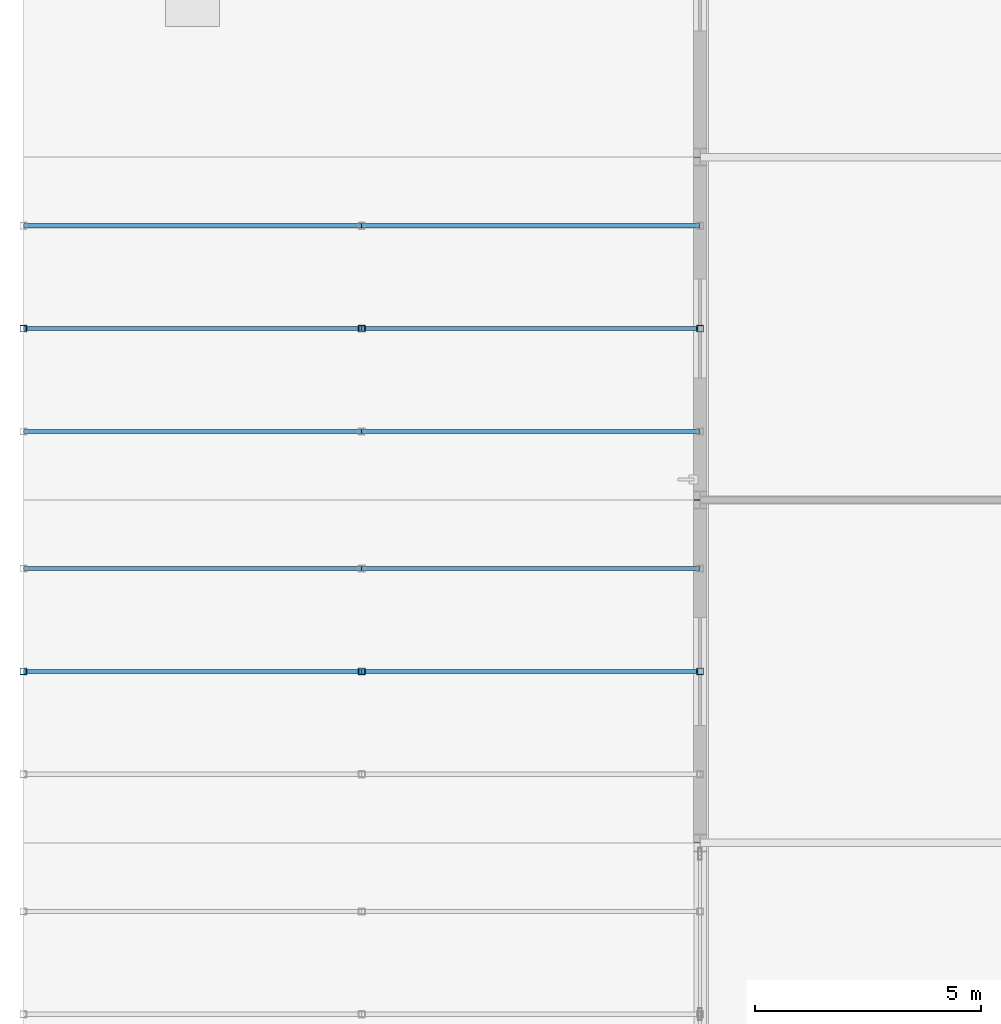
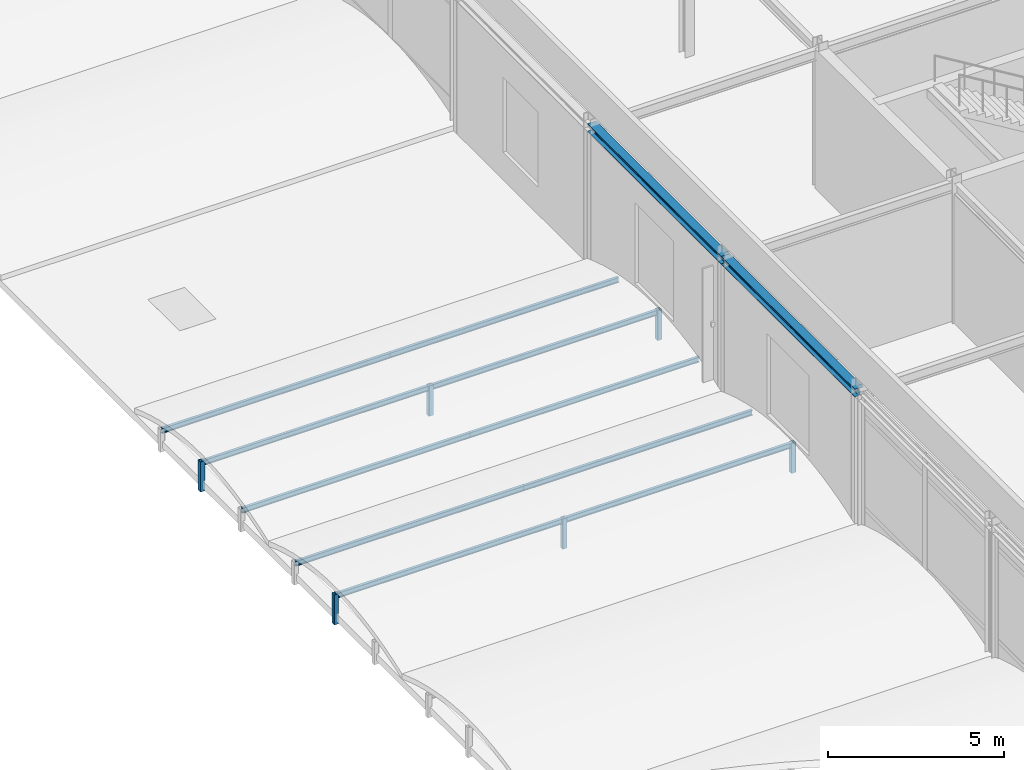
# One storey, part 20 of 79: 16 members, 2 beams.
"""IFC4 building model written with IfcOpenShell, lengths in metres."""

from ifc_helpers import new_model, si_unit, direction, frame, origin, origin_2d, place, context, subcontext, project, spatial, hollow_rectangle, i_section, extrude, material, material_profile, profile_set, type_object, element, save


model = new_model("IFC4")

# Units and contexts
model_context = context("Model", 3, precision=1e-05, world=origin(), true_north=direction((0.0, 1.0)))
body_context = subcontext(model_context, "Body", "Model", "MODEL_VIEW")
ifc_project = project(units=[si_unit("LENGTHUNIT", "METRE"), si_unit("AREAUNIT", "SQUARE_METRE"), si_unit("VOLUMEUNIT", "CUBIC_METRE"), si_unit("PLANEANGLEUNIT", "RADIAN"), si_unit("MASSUNIT", "GRAM", prefix="KILO")], contexts=[model_context])

# Site, building, storey
site_placement = place(None, origin())
site = spatial("IfcSite", under=ifc_project, at=site_placement, CompositionType="ELEMENT")
building_placement = place(site_placement, origin())
building = spatial("IfcBuilding", under=site, at=building_placement, Name="Shalkamar Park Central Library", CompositionType="ELEMENT")
storey_placement = place(building_placement, frame((0.0, 0.0, 10.5)))
storey = spatial("IfcBuildingStorey", under=building, at=storey_placement, Name="L03", CompositionType="ELEMENT", Elevation=10.5)

# Members
ifc_material = material(Name="Steel S355", Category="steel")
ifc_material_profile_1 = material_profile(ifc_material, hollow_rectangle(XDim=0.14990234375, YDim=0.14990234375, WallThickness=0.008056640625, InnerFilletRadius=0.008056640625, OuterFilletRadius=0.011962890625, at=origin_2d()), Name="SHS 150x150x8")
ifc_profile_set_1 = profile_set([ifc_material_profile_1], Name="Steel S355")
member_type_1 = type_object("IfcMemberType", Name="Diagonal Brace SHS150", PredefinedType="BRACE", material=ifc_profile_set_1)
for number, where, z_axis, x_axis, name in (
    (1, (135.0, 297.0, -0.360107421875), (0.0, 0.0, 1.0), (1.0, 0.0, 0.0), "Vault Arch Post BV-L02-W6-03.2"),
    (2, (142.5, 297.0, -0.360107421875), (0.0, 0.0, 1.0), (1.0, 0.0, 0.0), "Vault Arch Post BV-L02-W6-04.2"),
    (3, (150.0, 297.0, -0.360107421875), (0.0, 0.0, 1.0), (1.0, 0.0, 0.0), "Vault Arch Post BV-L02-W6-05.2"),
    (4, (135.0, 304.60009765625, -0.360107421875), (0.0, 0.0, 1.0), (1.0, 0.0, 0.0), "Vault Arch Post BV-L02-W7-03.2"),
    (5, (142.5, 304.60009765625, -0.360107421875), (0.0, 0.0, 1.0), (1.0, 0.0, 0.0), "Vault Arch Post BV-L02-W7-04.2"),
    (6, (150.0, 304.60009765625, -0.360107421875), (0.0, 0.0, 1.0), (1.0, 0.0, 0.0), "Vault Arch Post BV-L02-W7-05.2"),
):
    element("IfcMember", number, at=place(storey_placement, frame(where, z_axis=z_axis, x_axis=x_axis)), inside=storey, type_object=member_type_1, Name=name, PredefinedType="BRACE", context=body_context, shape_type="SweptSolid", body=[
        extrude(hollow_rectangle(XDim=0.14990234375, YDim=0.14990234375, WallThickness=0.008056640625, InnerFilletRadius=0.008056640625, OuterFilletRadius=0.011962890625, at=origin_2d()), origin(), (0.0, 0.0, 1.0), 1.0400390625),
    ])

# Beams
ifc_material_profile_2 = material_profile(ifc_material, i_section(OverallWidth=0.280029296875, OverallDepth=0.27001953125, WebThickness=0.008056640625, FlangeThickness=0.012939453125, FilletRadius=0.02392578125, at=origin_2d()), Name="HEA 280")
ifc_profile_set_2 = profile_set([ifc_material_profile_2], Name="Steel S355")
beam_type = type_object("IfcBeamType", Name="Perimeter Spandrel Beam HEA280", PredefinedType="SPANDREL", material=ifc_profile_set_2)
beam_1_placement = place(storey_placement, frame((150.0, 293.199951171875, 4.715087890625), z_axis=(0.0, 1.0, 0.0), x_axis=(-1.0, 0.0, 0.0)))
element("IfcBeam", 7, at=beam_1_placement, inside=storey, type_object=beam_type, Name="Beam 05:H-J (L03)", PredefinedType="SPANDREL", context=body_context, shape_type="SweptSolid", body=[
    extrude(i_section(OverallWidth=0.280029296875, OverallDepth=0.27001953125, WebThickness=0.008056640625, FlangeThickness=0.012939453125, FilletRadius=0.02392578125, at=origin_2d()), origin(), (0.0, 0.0, 1.0), 7.60009765625),
])
beam_2_placement = place(storey_placement, frame((150.0, 300.800048828125, 4.715087890625), z_axis=(0.0, 1.0, 0.0), x_axis=(-1.0, 0.0, 0.0)))
element("IfcBeam", 8, at=beam_2_placement, inside=storey, type_object=beam_type, Name="Beam 05:J-K (L03)", PredefinedType="SPANDREL", context=body_context, shape_type="SweptSolid", body=[
    extrude(i_section(OverallWidth=0.280029296875, OverallDepth=0.27001953125, WebThickness=0.008056640625, FlangeThickness=0.012939453125, FilletRadius=0.02392578125, at=origin_2d()), origin(), (0.0, 0.0, 1.0), 7.599853515625),
])

# Members
ifc_material_profile_3 = material_profile(ifc_material, i_section(OverallWidth=0.091064453125, OverallDepth=0.179931640625, WebThickness=0.00537109375, FlangeThickness=0.008056640625, FilletRadius=0.009033203125, at=origin_2d()), Name="IPE 180")
ifc_profile_set_3 = profile_set([ifc_material_profile_3], Name="Steel S355")
member_type_2 = type_object("IfcMemberType", Name="Roof Purlin IPE180", PredefinedType="PURLIN", material=ifc_profile_set_3)
for number, where, z_axis, x_axis, name in (
    (9, (135.0, 297.0, 0.590087890625), (1.0, 0.0, 0.0), (0.0, 1.0, 0.0), "Barrel Roof Purlin BV-L02-W6-2.03"),
    (10, (142.5, 297.0, 0.590087890625), (1.0, 0.0, 0.0), (0.0, 1.0, 0.0), "Barrel Roof Purlin BV-L02-W6-2.04"),
    (11, (135.0, 299.280029296875, 0.330810546875), (1.0, 0.0, 0.0), (0.0, 1.0, 0.0), "Barrel Roof Purlin BV-L02-W6-3.03"),
    (12, (142.5, 299.280029296875, 0.330810546875), (1.0, 0.0, 0.0), (0.0, 1.0, 0.0), "Barrel Roof Purlin BV-L02-W6-3.04"),
    (13, (135.0, 302.320068359375, 0.330810546875), (1.0, 0.0, 0.0), (0.0, 1.0, 0.0), "Barrel Roof Purlin BV-L02-W7-1.03"),
    (14, (142.5, 302.320068359375, 0.330810546875), (1.0, 0.0, 0.0), (0.0, 1.0, 0.0), "Barrel Roof Purlin BV-L02-W7-1.04"),
    (15, (135.0, 304.60009765625, 0.590087890625), (1.0, 0.0, 0.0), (0.0, 1.0, 0.0), "Barrel Roof Purlin BV-L02-W7-2.03"),
    (16, (142.5, 304.60009765625, 0.590087890625), (1.0, 0.0, 0.0), (0.0, 1.0, 0.0), "Barrel Roof Purlin BV-L02-W7-2.04"),
    (17, (135.0, 306.8798828125, 0.330810546875), (1.0, 0.0, 0.0), (0.0, 1.0, 0.0), "Barrel Roof Purlin BV-L02-W7-3.03"),
    (18, (142.5, 306.8798828125, 0.330810546875), (1.0, 0.0, 0.0), (0.0, 1.0, 0.0), "Barrel Roof Purlin BV-L02-W7-3.04"),
):
    element("IfcMember", number, at=place(storey_placement, frame(where, z_axis=z_axis, x_axis=x_axis)), inside=storey, type_object=member_type_2, Name=name, PredefinedType="PURLIN", context=body_context, shape_type="SweptSolid", body=[
        extrude(i_section(OverallWidth=0.091064453125, OverallDepth=0.179931640625, WebThickness=0.00537109375, FlangeThickness=0.008056640625, FilletRadius=0.009033203125, at=origin_2d()), origin(), (0.0, 0.0, 1.0), 7.5),
    ])

save(model, "model.ifc")
